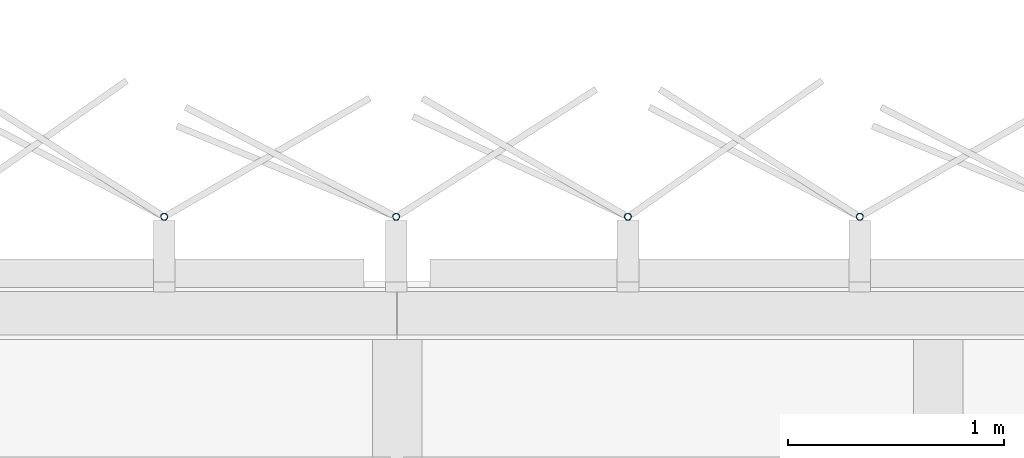
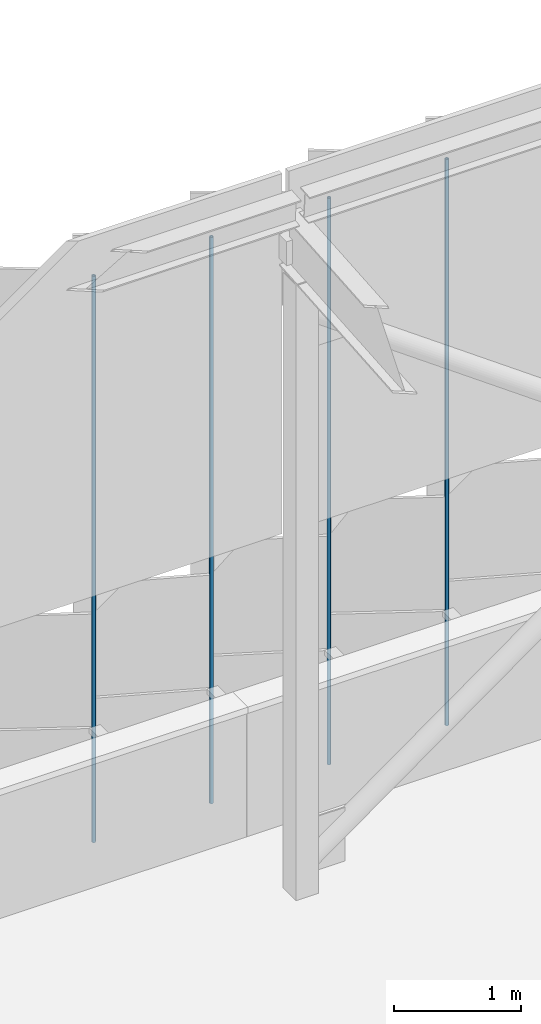
# One storey, part 350 of 483: 4 discrete accessories.
"""IFC4 building model written with IfcOpenShell, lengths in metres."""

from ifc_helpers import new_model, si_unit, direction, frame, origin, origin_2d, place, context, subcontext, project, spatial, hollow_circle, extrude, material, material_profile, profile_set, type_object, element, save


model = new_model("IFC4")

# Units and contexts
model_context = context("Model", 3, precision=1e-05, world=origin(), true_north=direction((0.0, 1.0)))
body_context = subcontext(model_context, "Body", "Model", "MODEL_VIEW")
ifc_project = project(units=[si_unit("LENGTHUNIT", "METRE"), si_unit("AREAUNIT", "SQUARE_METRE"), si_unit("VOLUMEUNIT", "CUBIC_METRE"), si_unit("PLANEANGLEUNIT", "RADIAN"), si_unit("MASSUNIT", "GRAM", prefix="KILO")], contexts=[model_context])

# Site, building, storey
site_placement = place(None, origin())
site = spatial("IfcSite", under=ifc_project, at=site_placement, CompositionType="ELEMENT")
building_placement = place(site_placement, origin())
building = spatial("IfcBuilding", under=site, at=building_placement, Name="Parallax Yard Mobility Hub", CompositionType="ELEMENT")
storey_placement = place(building_placement, frame((0.0, 0.0, 13.199951171875)))
storey = spatial("IfcBuildingStorey", under=building, at=storey_placement, Name="L04", CompositionType="ELEMENT", Elevation=13.199951171875)

# Discrete accessories
ifc_material = material(Name="Steel ASTM A500 Gr C, hot-dip galvanised", Category="steel")
ifc_material_profile = material_profile(ifc_material, hollow_circle(Radius=0.016845703125, WallThickness=0.003173828125, at=origin_2d()), Name="CHS 33.7x3.2")
ifc_profile_set = profile_set([ifc_material_profile], Name="Steel ASTM A500 Gr C, hot-dip galvanised")
discrete_accessory_type = type_object("IfcDiscreteAccessoryType", Name="Hinge post CHS 33.7x3.2", PredefinedType="BRACKET", material=ifc_profile_set)
for number, where, z_axis, x_axis, name in (
    (1, (114.637939453125, 142.800048828125, 0.0), (0.0, 0.0, 1.0), (1.0, 0.0, 0.0), "Hinge post bay 58.6 level L04"),
    (2, (113.56640625, 142.800048828125, 0.0), (0.0, 0.0, 1.0), (1.0, 0.0, 0.0), "Hinge post bay 58.7 level L04"),
    (3, (112.494873046875, 142.800048828125, 0.0), (0.0, 0.0, 1.0), (1.0, 0.0, 0.0), "Hinge post bay 59.1 level L04"),
    (4, (111.423095703125, 142.800048828125, 0.0), (0.0, 0.0, 1.0), (1.0, 0.0, 0.0), "Hinge post bay 59.2 level L04"),
):
    element("IfcDiscreteAccessory", number, at=place(storey_placement, frame(where, z_axis=z_axis, x_axis=x_axis)), inside=storey, type_object=discrete_accessory_type, Name=name, PredefinedType="BRACKET", context=body_context, shape_type="SweptSolid", body=[
        extrude(hollow_circle(Radius=0.016845703125, WallThickness=0.003173828125, at=origin_2d()), origin(), (0.0, 0.0, 1.0), 5.449951171875),
    ])

save(model, "model.ifc")
